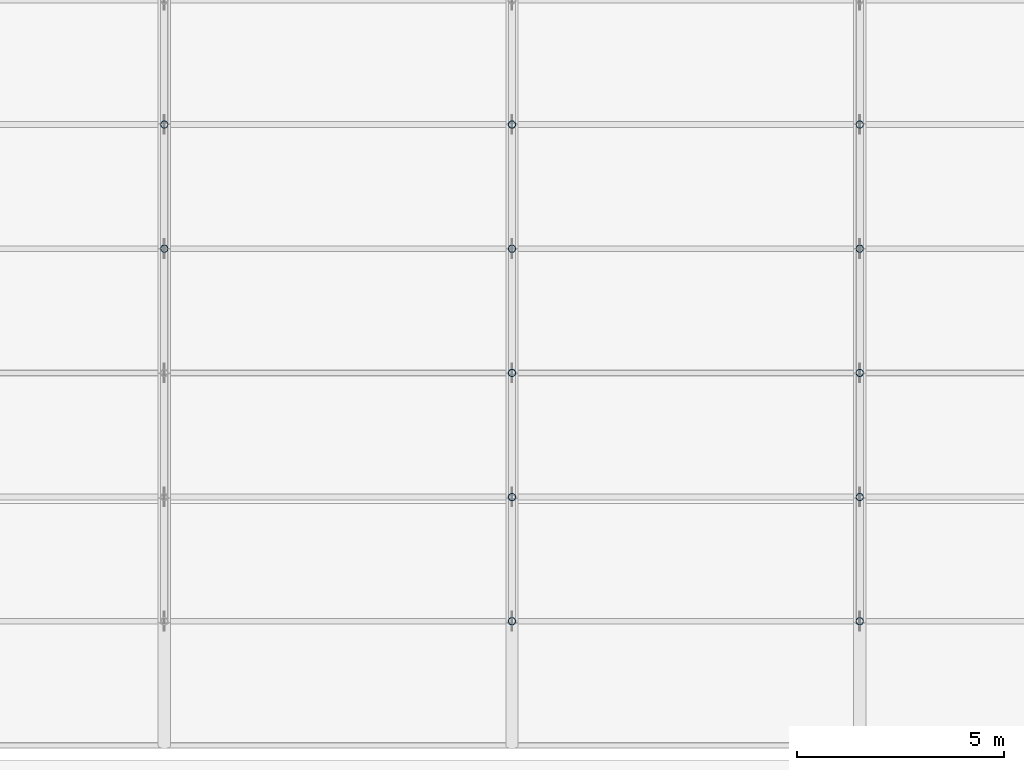
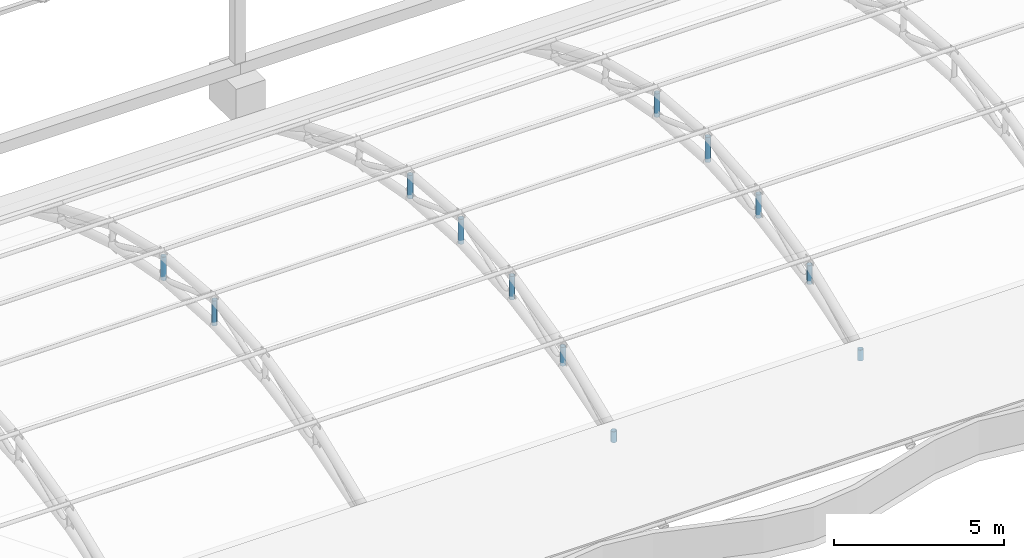
# One storey, part 73 of 163: 12 members.
"""IFC4 building model written with IfcOpenShell, lengths in metres."""

from ifc_helpers import new_model, si_unit, direction, frame, origin, origin_2d, place, context, subcontext, project, spatial, hollow_circle, extrude, material, material_profile, profile_set, type_object, element, save


model = new_model("IFC4")

# Units and contexts
model_context = context("Model", 3, precision=1e-05, world=origin(), true_north=direction((0.0, 1.0)))
body_context = subcontext(model_context, "Body", "Model", "MODEL_VIEW")
ifc_project = project(units=[si_unit("LENGTHUNIT", "METRE"), si_unit("AREAUNIT", "SQUARE_METRE"), si_unit("VOLUMEUNIT", "CUBIC_METRE"), si_unit("PLANEANGLEUNIT", "RADIAN"), si_unit("MASSUNIT", "GRAM", prefix="KILO")], contexts=[model_context])

# Site, building, storey
site_placement = place(None, origin())
site = spatial("IfcSite", under=ifc_project, at=site_placement, CompositionType="ELEMENT")
building_placement = place(site_placement, origin())
building = spatial("IfcBuilding", under=site, at=building_placement, Name="Rain Tree Exposition and Congress Centre", CompositionType="ELEMENT")
storey_placement = place(building_placement, frame((0.0, 0.0, 10.5)))
storey = spatial("IfcBuildingStorey", under=building, at=storey_placement, Name="L02", CompositionType="ELEMENT", Elevation=10.5)

# Members
ifc_material = material(Name="Steel S355J2H", Category="steel")
ifc_material_profile = material_profile(ifc_material, hollow_circle(Radius=0.090087890625, WallThickness=0.008056640625, at=origin_2d()), Name="CHS 180x8")
ifc_profile_set = profile_set([ifc_material_profile], Name="Steel S355J2H")
member_type = type_object("IfcMemberType", Name="Steel post member CHS 180x8", PredefinedType="POST", material=ifc_profile_set)
member_1_placement = place(storey_placement, frame((84.0, 87.60009765625, 3.1298828125), z_axis=(0.0, 0.0, 1.0), x_axis=(1.0, 0.0, 0.0)))
element("IfcMember", 1, at=member_1_placement, inside=storey, type_object=member_type, Name="Roof truss 11 post 4", PredefinedType="POST", context=body_context, shape_type="SweptSolid", body=[
    extrude(hollow_circle(Radius=0.090087890625, WallThickness=0.008056640625, at=origin_2d()), origin(), (0.0, 0.0, 1.0), 0.900146484375),
])
member_2_placement = place(storey_placement, frame((84.0, 90.60009765625, 2.9423828125), z_axis=(0.0, 0.0, 1.0), x_axis=(1.0, 0.0, 0.0)))
element("IfcMember", 2, at=member_2_placement, inside=storey, type_object=member_type, Name="Roof truss 11 post 5", PredefinedType="POST", context=body_context, shape_type="SweptSolid", body=[
    extrude(hollow_circle(Radius=0.090087890625, WallThickness=0.008056640625, at=origin_2d()), origin(), (0.0, 0.0, 1.0), 0.843994140625),
])
member_3_placement = place(storey_placement, frame((92.39990234375, 78.60009765625, 1.4423828125), z_axis=(0.0, 0.0, 1.0), x_axis=(1.0, 0.0, 0.0)))
element("IfcMember", 3, at=member_3_placement, inside=storey, type_object=member_type, Name="Roof truss 12 post 1", PredefinedType="POST", context=body_context, shape_type="SweptSolid", body=[
    extrude(hollow_circle(Radius=0.090087890625, WallThickness=0.008056640625, at=origin_2d()), origin(), (0.0, 0.0, 1.0), 0.393798828125),
])
member_4_placement = place(storey_placement, frame((92.39990234375, 81.60009765625, 2.3798828125), z_axis=(0.0, 0.0, 1.0), x_axis=(1.0, 0.0, 0.0)))
element("IfcMember", 4, at=member_4_placement, inside=storey, type_object=member_type, Name="Roof truss 12 post 2", PredefinedType="POST", context=body_context, shape_type="SweptSolid", body=[
    extrude(hollow_circle(Radius=0.090087890625, WallThickness=0.008056640625, at=origin_2d()), origin(), (0.0, 0.0, 1.0), 0.675048828125),
])
member_5_placement = place(storey_placement, frame((92.39990234375, 84.60009765625, 2.9423828125), z_axis=(0.0, 0.0, 1.0), x_axis=(1.0, 0.0, 0.0)))
element("IfcMember", 5, at=member_5_placement, inside=storey, type_object=member_type, Name="Roof truss 12 post 3", PredefinedType="POST", context=body_context, shape_type="SweptSolid", body=[
    extrude(hollow_circle(Radius=0.090087890625, WallThickness=0.008056640625, at=origin_2d()), origin(), (0.0, 0.0, 1.0), 0.843994140625),
])
member_6_placement = place(storey_placement, frame((92.39990234375, 87.60009765625, 3.1298828125), z_axis=(0.0, 0.0, 1.0), x_axis=(1.0, 0.0, 0.0)))
element("IfcMember", 6, at=member_6_placement, inside=storey, type_object=member_type, Name="Roof truss 12 post 4", PredefinedType="POST", context=body_context, shape_type="SweptSolid", body=[
    extrude(hollow_circle(Radius=0.090087890625, WallThickness=0.008056640625, at=origin_2d()), origin(), (0.0, 0.0, 1.0), 0.900146484375),
])
member_7_placement = place(storey_placement, frame((92.39990234375, 90.60009765625, 2.9423828125), z_axis=(0.0, 0.0, 1.0), x_axis=(1.0, 0.0, 0.0)))
element("IfcMember", 7, at=member_7_placement, inside=storey, type_object=member_type, Name="Roof truss 12 post 5", PredefinedType="POST", context=body_context, shape_type="SweptSolid", body=[
    extrude(hollow_circle(Radius=0.090087890625, WallThickness=0.008056640625, at=origin_2d()), origin(), (0.0, 0.0, 1.0), 0.843994140625),
])
member_8_placement = place(storey_placement, frame((100.800048828125, 78.60009765625, 1.4423828125), z_axis=(0.0, 0.0, 1.0), x_axis=(1.0, 0.0, 0.0)))
element("IfcMember", 8, at=member_8_placement, inside=storey, type_object=member_type, Name="Roof truss 13 post 1", PredefinedType="POST", context=body_context, shape_type="SweptSolid", body=[
    extrude(hollow_circle(Radius=0.090087890625, WallThickness=0.008056640625, at=origin_2d()), origin(), (0.0, 0.0, 1.0), 0.393798828125),
])
member_9_placement = place(storey_placement, frame((100.800048828125, 81.60009765625, 2.3798828125), z_axis=(0.0, 0.0, 1.0), x_axis=(1.0, 0.0, 0.0)))
element("IfcMember", 9, at=member_9_placement, inside=storey, type_object=member_type, Name="Roof truss 13 post 2", PredefinedType="POST", context=body_context, shape_type="SweptSolid", body=[
    extrude(hollow_circle(Radius=0.090087890625, WallThickness=0.008056640625, at=origin_2d()), origin(), (0.0, 0.0, 1.0), 0.675048828125),
])
member_10_placement = place(storey_placement, frame((100.800048828125, 84.60009765625, 2.9423828125), z_axis=(0.0, 0.0, 1.0), x_axis=(1.0, 0.0, 0.0)))
element("IfcMember", 10, at=member_10_placement, inside=storey, type_object=member_type, Name="Roof truss 13 post 3", PredefinedType="POST", context=body_context, shape_type="SweptSolid", body=[
    extrude(hollow_circle(Radius=0.090087890625, WallThickness=0.008056640625, at=origin_2d()), origin(), (0.0, 0.0, 1.0), 0.843994140625),
])
member_11_placement = place(storey_placement, frame((100.800048828125, 87.60009765625, 3.1298828125), z_axis=(0.0, 0.0, 1.0), x_axis=(1.0, 0.0, 0.0)))
element("IfcMember", 11, at=member_11_placement, inside=storey, type_object=member_type, Name="Roof truss 13 post 4", PredefinedType="POST", context=body_context, shape_type="SweptSolid", body=[
    extrude(hollow_circle(Radius=0.090087890625, WallThickness=0.008056640625, at=origin_2d()), origin(), (0.0, 0.0, 1.0), 0.900146484375),
])
member_12_placement = place(storey_placement, frame((100.800048828125, 90.60009765625, 2.9423828125), z_axis=(0.0, 0.0, 1.0), x_axis=(1.0, 0.0, 0.0)))
element("IfcMember", 12, at=member_12_placement, inside=storey, type_object=member_type, Name="Roof truss 13 post 5", PredefinedType="POST", context=body_context, shape_type="SweptSolid", body=[
    extrude(hollow_circle(Radius=0.090087890625, WallThickness=0.008056640625, at=origin_2d()), origin(), (0.0, 0.0, 1.0), 0.843994140625),
])

save(model, "model.ifc")
